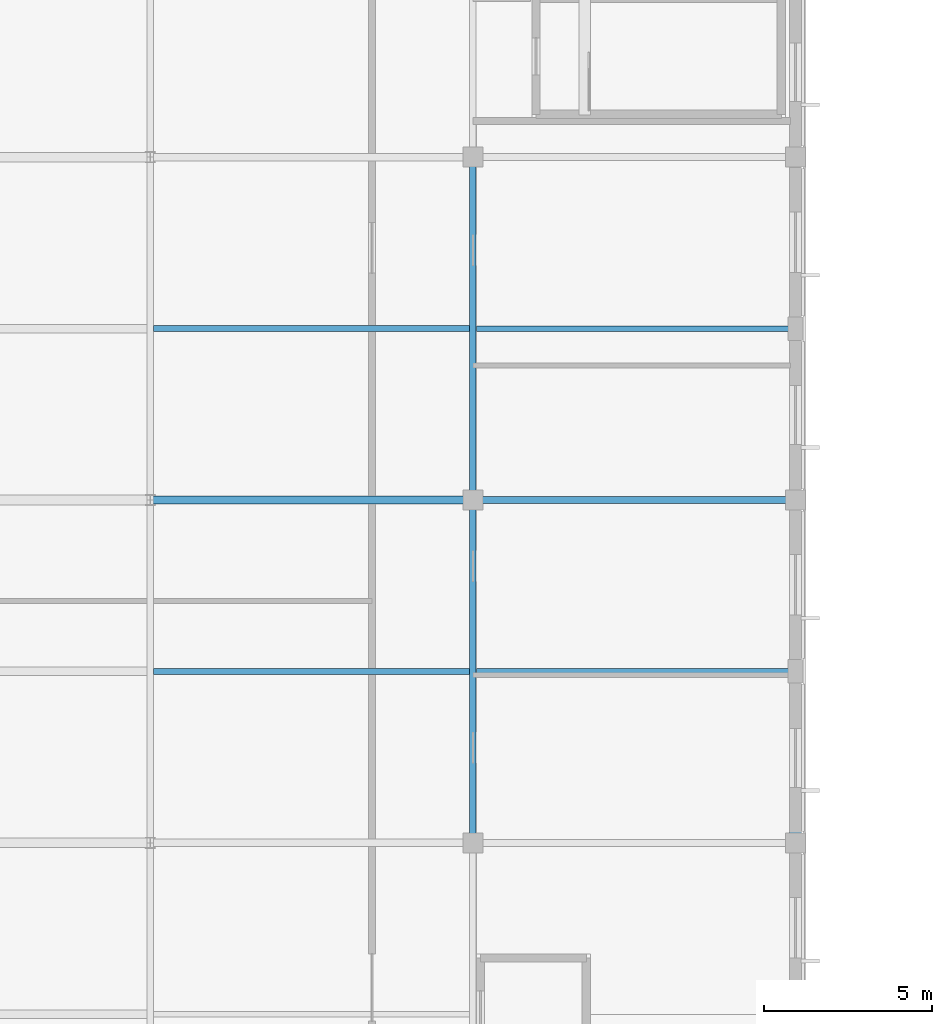
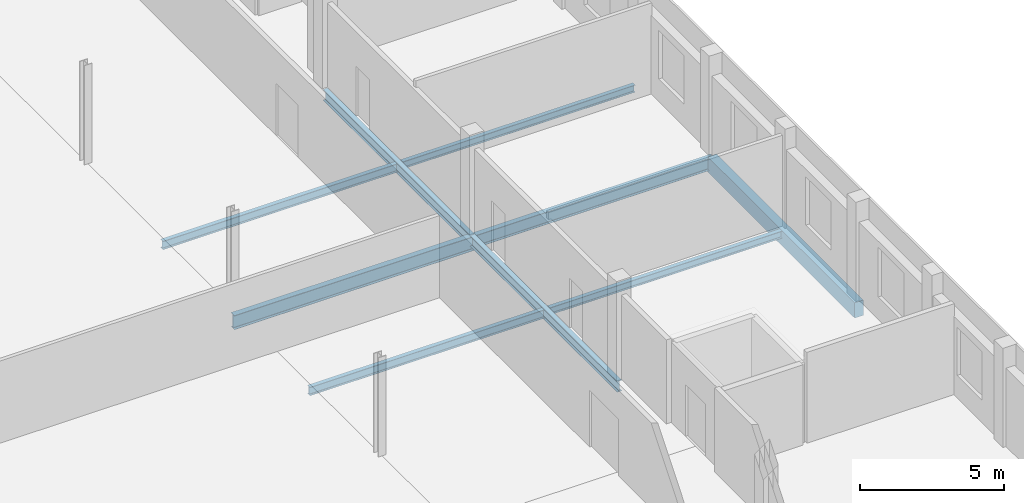
# One storey, part 71 of 185: 9 beams.
"""IFC4 building model written with IfcOpenShell, lengths in metres."""

from ifc_helpers import new_model, si_unit, direction, frame, origin, origin_2d, place, context, subcontext, project, spatial, rectangle, i_section, extrude, material, material_profile, profile_set, type_object, element, save


model = new_model("IFC4")

# Units and contexts
model_context = context("Model", 3, precision=1e-05, world=origin(), true_north=direction((0.0, 1.0)))
body_context = subcontext(model_context, "Body", "Model", "MODEL_VIEW")
ifc_project = project(units=[si_unit("LENGTHUNIT", "METRE"), si_unit("AREAUNIT", "SQUARE_METRE"), si_unit("VOLUMEUNIT", "CUBIC_METRE"), si_unit("PLANEANGLEUNIT", "RADIAN"), si_unit("MASSUNIT", "GRAM", prefix="KILO")], contexts=[model_context])

# Site, building, storey
site_placement = place(None, origin())
site = spatial("IfcSite", under=ifc_project, at=site_placement, CompositionType="ELEMENT")
building_placement = place(site_placement, origin())
building = spatial("IfcBuilding", under=site, at=building_placement, Name="Vondelvale Polytechnic", CompositionType="ELEMENT")
storey_placement = place(building_placement, frame((0.0, 0.0, 9.60009765625)))
storey = spatial("IfcBuildingStorey", under=building, at=storey_placement, Name="L02", CompositionType="ELEMENT", Elevation=9.60009765625)

# Beams
ifc_material_1 = material(Name="Steel 300PLUS (fy = 300 MPa)", Category="steel")
ifc_material_profile_1 = material_profile(ifc_material_1, i_section(OverallWidth=0.18994140625, OverallDepth=0.45703125, WebThickness=0.009033203125, FlangeThickness=0.014404296875, FilletRadius=0.011474609375, at=origin_2d()), Name="460UB74.6")
ifc_profile_set_1 = profile_set([ifc_material_profile_1], Name="Steel 300PLUS (fy = 300 MPa)")
beam_type_1 = type_object("IfcBeamType", Name="BM-UB460", PredefinedType="BEAM", material=ifc_profile_set_1)
for number, where, z_axis, x_axis, name in (
    (1, (38.39990234375, 91.800048828125, -0.508544921875), (0.0, 1.0, 0.0), (-1.0, 0.0, 0.0), "L02 B B-13"),
    (2, (38.39990234375, 102.0, -0.508544921875), (0.0, 1.0, 0.0), (-1.0, 0.0, 0.0), "L02 B B-13"),
):
    element("IfcBeam", number, at=place(storey_placement, frame(where, z_axis=z_axis, x_axis=x_axis)), inside=storey, type_object=beam_type_1, Name=name, PredefinedType="BEAM", context=body_context, shape_type="SweptSolid", body=[
        extrude(i_section(OverallWidth=0.18994140625, OverallDepth=0.45703125, WebThickness=0.009033203125, FlangeThickness=0.014404296875, FilletRadius=0.011474609375, at=origin_2d()), origin(), (0.0, 0.0, 1.0), 10.199951171875),
    ])
ifc_material_profile_2 = material_profile(ifc_material_1, i_section(OverallWidth=0.208984375, OverallDepth=0.528076171875, WebThickness=0.009521484375, FlangeThickness=0.01318359375, FilletRadius=0.013916015625, at=origin_2d()), Name="530UB82.0")
ifc_profile_set_2 = profile_set([ifc_material_profile_2], Name="Steel 300PLUS (fy = 300 MPa)")
beam_type_2 = type_object("IfcBeamType", Name="BM-UB530L", PredefinedType="BEAM", material=ifc_profile_set_2)
beam_1_placement = place(storey_placement, frame((38.39990234375, 102.0, -0.544189453125), z_axis=(1.0, 0.0, 0.0), x_axis=(0.0, 1.0, 0.0)))
element("IfcBeam", 3, at=beam_1_placement, inside=storey, type_object=beam_type_2, Name="L02 B B-21", PredefinedType="BEAM", context=body_context, shape_type="SweptSolid", body=[
    extrude(i_section(OverallWidth=0.208984375, OverallDepth=0.528076171875, WebThickness=0.009521484375, FlangeThickness=0.01318359375, FilletRadius=0.013916015625, at=origin_2d()), origin(), (0.0, 0.0, 1.0), 9.60009765625),
])
ifc_material_profile_3 = material_profile(ifc_material_1, i_section(OverallWidth=0.22802734375, OverallDepth=0.60205078125, WebThickness=0.010498046875, FlangeThickness=0.014892578125, FilletRadius=0.013916015625, at=origin_2d()), Name="610UB101")
ifc_profile_set_3 = profile_set([ifc_material_profile_3], Name="Steel 300PLUS (fy = 300 MPa)")
beam_type_3 = type_object("IfcBeamType", Name="BM-UB610", PredefinedType="BEAM", material=ifc_profile_set_3)
beam_2_placement = place(storey_placement, frame((28.800048828125, 102.0, -0.5810546875), z_axis=(1.0, 0.0, 0.0), x_axis=(0.0, 1.0, 0.0)))
element("IfcBeam", 4, at=beam_2_placement, inside=storey, type_object=beam_type_3, Name="L02 B B-10", PredefinedType="BEAM", context=body_context, shape_type="SweptSolid", body=[
    extrude(i_section(OverallWidth=0.22802734375, OverallDepth=0.60205078125, WebThickness=0.010498046875, FlangeThickness=0.014892578125, FilletRadius=0.013916015625, at=origin_2d()), origin(), (0.0, 0.0, 1.0), 9.599853515625),
])
ifc_material_profile_4 = material_profile(ifc_material_1, i_section(OverallWidth=0.1650390625, OverallDepth=0.303955078125, WebThickness=0.006103515625, FlangeThickness=0.01025390625, FilletRadius=0.011474609375, at=origin_2d()), Name="310UB40.4")
ifc_profile_set_4 = profile_set([ifc_material_profile_4], Name="Steel 300PLUS (fy = 300 MPa)")
beam_type_4 = type_object("IfcBeamType", Name="JST-UB310", PredefinedType="JOIST", material=ifc_profile_set_4)
for number, where, z_axis, x_axis, name in (
    (5, (38.5, 96.89990234375, -0.43212890625), (1.0, 0.0, 0.0), (0.0, 1.0, 0.0), "L02 J J-05"),
    (6, (38.5, 107.10009765625, -0.43212890625), (1.0, 0.0, 0.0), (0.0, 1.0, 0.0), "L02 J J-05"),
):
    element("IfcBeam", number, at=place(storey_placement, frame(where, z_axis=z_axis, x_axis=x_axis)), inside=storey, type_object=beam_type_4, Name=name, PredefinedType="JOIST", context=body_context, shape_type="SweptSolid", body=[
        extrude(i_section(OverallWidth=0.1650390625, OverallDepth=0.303955078125, WebThickness=0.006103515625, FlangeThickness=0.01025390625, FilletRadius=0.011474609375, at=origin_2d()), origin(), (0.0, 0.0, 1.0), 9.320068359375),
    ])
ifc_material_profile_5 = material_profile(ifc_material_1, i_section(OverallWidth=0.1708984375, OverallDepth=0.35595703125, WebThickness=0.00732421875, FlangeThickness=0.011474609375, FilletRadius=0.011474609375, at=origin_2d()), Name="360UB50.7")
ifc_profile_set_5 = profile_set([ifc_material_profile_5], Name="Steel 300PLUS (fy = 300 MPa)")
beam_type_5 = type_object("IfcBeamType", Name="JST-UB360", PredefinedType="JOIST", material=ifc_profile_set_5)
for number, where, z_axis, x_axis, name in (
    (7, (28.89990234375, 96.89990234375, -0.4580078125), (1.0, 0.0, 0.0), (0.0, 1.0, 0.0), "L02 J J-04"),
    (8, (28.89990234375, 107.10009765625, -0.4580078125), (1.0, 0.0, 0.0), (0.0, 1.0, 0.0), "L02 J J-04"),
):
    element("IfcBeam", number, at=place(storey_placement, frame(where, z_axis=z_axis, x_axis=x_axis)), inside=storey, type_object=beam_type_5, Name=name, PredefinedType="JOIST", context=body_context, shape_type="SweptSolid", body=[
        extrude(i_section(OverallWidth=0.1708984375, OverallDepth=0.35595703125, WebThickness=0.00732421875, FlangeThickness=0.011474609375, FilletRadius=0.011474609375, at=origin_2d()), origin(), (0.0, 0.0, 1.0), 9.400146484375),
    ])
ifc_material_2 = material(Name="Precast concrete N40 (f'c = 40 MPa)", Category="concrete")
ifc_material_profile_6 = material_profile(ifc_material_2, rectangle(XDim=0.35009765625, YDim=0.64990234375, at=origin_2d()), Name="RC-SPN-350x650")
ifc_profile_set_6 = profile_set([ifc_material_profile_6], Name="Precast concrete N40 (f'c = 40 MPa)")
beam_type_6 = type_object("IfcBeamType", Name="SPN-PRE350x650", PredefinedType="SPANDREL", material=ifc_profile_set_6)
beam_3_placement = place(storey_placement, frame((48.0, 91.800048828125, -0.60498046875), z_axis=(0.0, 1.0, 0.0), x_axis=(-1.0, 0.0, 0.0)))
element("IfcBeam", 9, at=beam_3_placement, inside=storey, type_object=beam_type_6, Name="L02 B SP-02", PredefinedType="SPANDREL", context=body_context, shape_type="SweptSolid", body=[
    extrude(rectangle(XDim=0.35009765625, YDim=0.64990234375, at=origin_2d()), origin(), (0.0, 0.0, 1.0), 10.199951171875),
])

save(model, "model.ifc")
